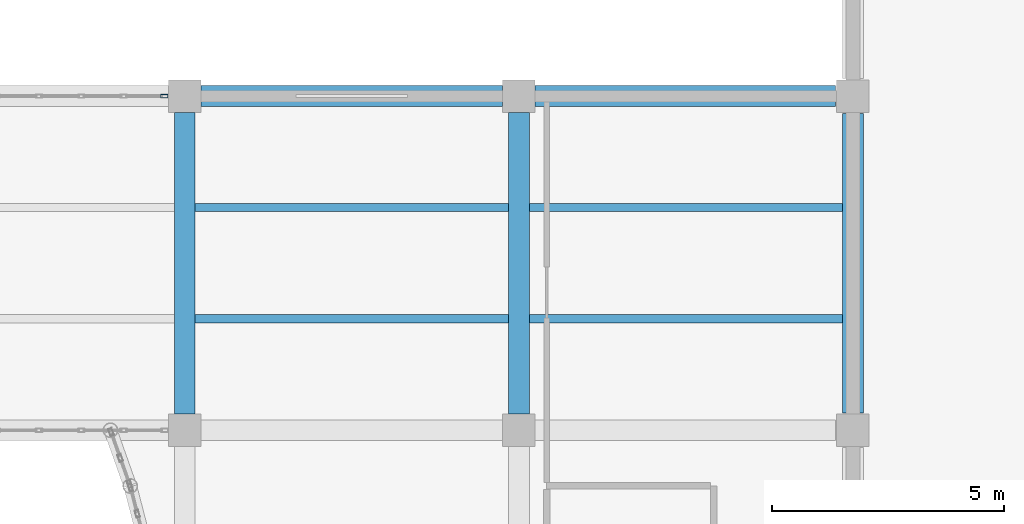
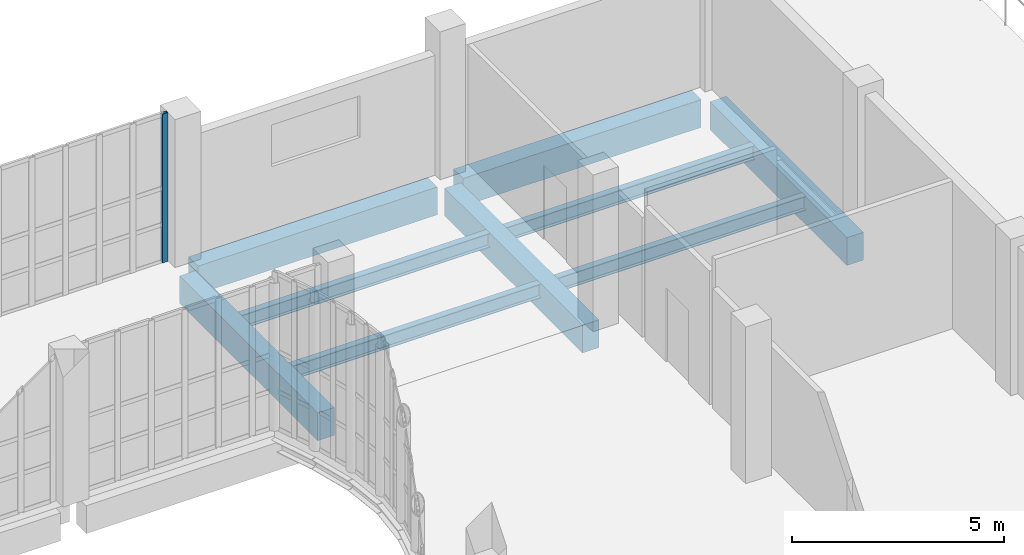
# One storey, part 44 of 108: 9 beams, 1 member, 1 element without a shape of its own.
"""IFC4 building model written with IfcOpenShell, lengths in metres."""

from ifc_helpers import new_model, si_unit, direction, frame, origin, origin_2d, place, context, subcontext, project, spatial, rectangle, hollow_rectangle, i_section, extrude, material, layer, layer_set, material_profile, profile_set, type_object, element, aggregate, save


model = new_model("IFC4")

# Units and contexts
model_context = context("Model", 3, precision=1e-05, world=origin(), true_north=direction((0.0, 1.0)))
body_context = subcontext(model_context, "Body", "Model", "MODEL_VIEW")
ifc_project = project(units=[si_unit("LENGTHUNIT", "METRE"), si_unit("AREAUNIT", "SQUARE_METRE"), si_unit("VOLUMEUNIT", "CUBIC_METRE"), si_unit("PLANEANGLEUNIT", "RADIAN"), si_unit("MASSUNIT", "GRAM", prefix="KILO"), si_unit("THERMODYNAMICTEMPERATUREUNIT", "KELVIN"), si_unit("POWERUNIT", "WATT")], contexts=[model_context])

# Site, building, storey
site_placement = place(None, origin())
site = spatial("IfcSite", under=ifc_project, at=site_placement, CompositionType="ELEMENT")
building_placement = place(site_placement, origin())
building = spatial("IfcBuilding", under=site, at=building_placement, Name="Kaldorven Railside Theatre", CompositionType="ELEMENT")
storey_placement = place(building_placement, frame((0.0, 0.0, 5.39990234375)))
storey = spatial("IfcBuildingStorey", under=building, at=storey_placement, Name="L01", CompositionType="ELEMENT", Elevation=5.39990234375)

# Beams
ifc_material_1 = material(Name="Steel S355", Category="steel")
ifc_material_profile_1 = material_profile(ifc_material_1, i_section(OverallWidth=0.179931640625, OverallDepth=0.39990234375, WebThickness=0.008544921875, FlangeThickness=0.013427734375, at=origin_2d()), Name="IPE 400")
ifc_profile_set_1 = profile_set([ifc_material_profile_1], Name="Steel S355")
beam_type_1 = type_object("IfcBeamType", Name="BM-IPE400", PredefinedType="JOIST", material=ifc_profile_set_1)
for number, where, z_axis, x_axis, name in (
    (1, (73.02490234375, 72.0, -0.47998046875), (1.0, 0.0, 0.0), (0.0, 1.0, 0.0), "L01 Secondary Floor Joist JG-L01-072-0720"),
    (2, (73.02490234375, 74.39990234375, -0.47998046875), (1.0, 0.0, 0.0), (0.0, 1.0, 0.0), "L01 Secondary Floor Joist JG-L01-072-0744"),
    (3, (80.22509765625, 72.0, -0.47998046875), (1.0, 0.0, 0.0), (0.0, 1.0, 0.0), "L01 Secondary Floor Joist JG-L01-080-0720"),
    (4, (80.22509765625, 74.39990234375, -0.47998046875), (1.0, 0.0, 0.0), (0.0, 1.0, 0.0), "L01 Secondary Floor Joist JG-L01-080-0744"),
):
    element("IfcBeam", number, at=place(storey_placement, frame(where, z_axis=z_axis, x_axis=x_axis)), inside=storey, type_object=beam_type_1, Name=name, PredefinedType="JOIST", context=body_context, shape_type="SweptSolid", body=[
        extrude(i_section(OverallWidth=0.179931640625, OverallDepth=0.39990234375, WebThickness=0.008544921875, FlangeThickness=0.013427734375, at=origin_2d()), origin(), (0.0, 0.0, 1.0), 6.75),
    ])
ifc_material_2 = material(Name="Concrete C40/50", Category="concrete")
ifc_material_profile_2 = material_profile(ifc_material_2, rectangle(XDim=0.449951171875, YDim=0.800048828125, at=origin_2d()), Name="RC 450x800")
ifc_profile_set_2 = profile_set([ifc_material_profile_2], Name="Concrete C40/50")
beam_type_2 = type_object("IfcBeamType", Name="BM-RC450x800", PredefinedType="BEAM", material=ifc_profile_set_2)
for number, where, z_axis, x_axis, name in (
    (5, (72.800048828125, 69.949951171875, -0.679931640625), (0.0, 1.0, 0.0), (-1.0, 0.0, 0.0), "L01 Girder BGY-L01-072-069-72"),
    (6, (80.0, 69.949951171875, -0.679931640625), (0.0, 1.0, 0.0), (-1.0, 0.0, 0.0), "L01 Girder BGY-L01-080-069-72"),
):
    element("IfcBeam", number, at=place(storey_placement, frame(where, z_axis=z_axis, x_axis=x_axis)), inside=storey, type_object=beam_type_2, Name=name, PredefinedType="BEAM", context=body_context, shape_type="SweptSolid", body=[
        extrude(rectangle(XDim=0.449951171875, YDim=0.800048828125, at=origin_2d()), origin(), (0.0, 0.0, 1.0), 6.5),
    ])
beam_1_placement = place(storey_placement, frame((87.199951171875, 69.97509765625, -0.699951171875), z_axis=(0.0, 1.0, 0.0), x_axis=(-1.0, 0.0, 0.0)))
element("IfcBeam", 7, at=beam_1_placement, inside=storey, type_object=beam_type_2, Name="L01 Girder BGY-L01-087-069-72", PredefinedType="BEAM", context=body_context, shape_type="SweptSolid", body=[
    extrude(rectangle(XDim=0.449951171875, YDim=0.800048828125, at=origin_2d()), origin(), (0.0, 0.0, 1.0), 6.449951171875),
])
beam_2_placement = place(storey_placement, frame((73.14990234375, 76.800048828125, -0.679931640625), z_axis=(1.0, 0.0, 0.0), x_axis=(0.0, 1.0, 0.0)))
element("IfcBeam", 8, at=beam_2_placement, inside=storey, type_object=beam_type_2, Name="L01 Girder BGX-L01-072-076", PredefinedType="BEAM", context=body_context, shape_type="SweptSolid", body=[
    extrude(rectangle(XDim=0.449951171875, YDim=0.800048828125, at=origin_2d()), origin(), (0.0, 0.0, 1.0), 6.5),
])
beam_3_placement = place(storey_placement, frame((80.35009765625, 76.800048828125, -0.679931640625), z_axis=(1.0, 0.0, 0.0), x_axis=(0.0, 1.0, 0.0)))
element("IfcBeam", 9, at=beam_3_placement, inside=storey, type_object=beam_type_2, Name="L01 Girder BGX-L01-080-076", PredefinedType="BEAM", context=body_context, shape_type="SweptSolid", body=[
    extrude(rectangle(XDim=0.449951171875, YDim=0.800048828125, at=origin_2d()), origin(), (0.0, 0.0, 1.0), 6.474853515625),
])

# Curtain wall, member
ifc_material_3 = material(Name="Low-E laminated solar-control glass", Category="glass")
ifc_layer = layer(ifc_material_3, 0.159912109375, Name="Low-E laminated solar-control glass")
ifc_layer_set = layer_set([ifc_layer], Name="Low-E laminated solar-control glass")
curtain_wall_type = type_object("IfcCurtainWallType", Name="CWT-25", PredefinedType="USERDEFINED", material=ifc_layer_set)
curtain_wall_placement = place(storey_placement, origin())
curtain_wall = element("IfcCurtainWall", 10, at=curtain_wall_placement, inside=storey, type_object=curtain_wall_type, Name="Sinusoidal Fluted Curtain Wall CW-L01-BN04", ObjectType="FLUTED GLAZING", PredefinedType="USERDEFINED")
ifc_material_4 = material(Name="Anodised bronze aluminium", Category="aluminium")
ifc_material_profile_3 = material_profile(ifc_material_4, hollow_rectangle(XDim=0.080078125, YDim=0.159912109375, WallThickness=0.00634765625, at=origin_2d()), Name="RHS 160x80x6.3")
ifc_profile_set_3 = profile_set([ifc_material_profile_3], Name="Anodised bronze aluminium")
member_type = type_object("IfcMemberType", Name="CWM-160", PredefinedType="MULLION", material=ifc_profile_set_3)
member_placement = place(storey_placement, frame((72.360107421875, 76.800048828125, 0.0), z_axis=(0.0, 0.0, 1.0), x_axis=(0.0, 1.0, 0.0)))
member = element("IfcMember", 11, at=member_placement, type_object=member_type, Name="CW-L01-BN04 mullion 8", PredefinedType="MULLION", context=body_context, shape_type="SweptSolid", body=[
    extrude(hollow_rectangle(XDim=0.080078125, YDim=0.159912109375, WallThickness=0.00634765625, at=origin_2d()), origin(), (0.0, 0.0, 1.0), 4.280029296875),
])
aggregate(curtain_wall, [member])

save(model, "model.ifc")
